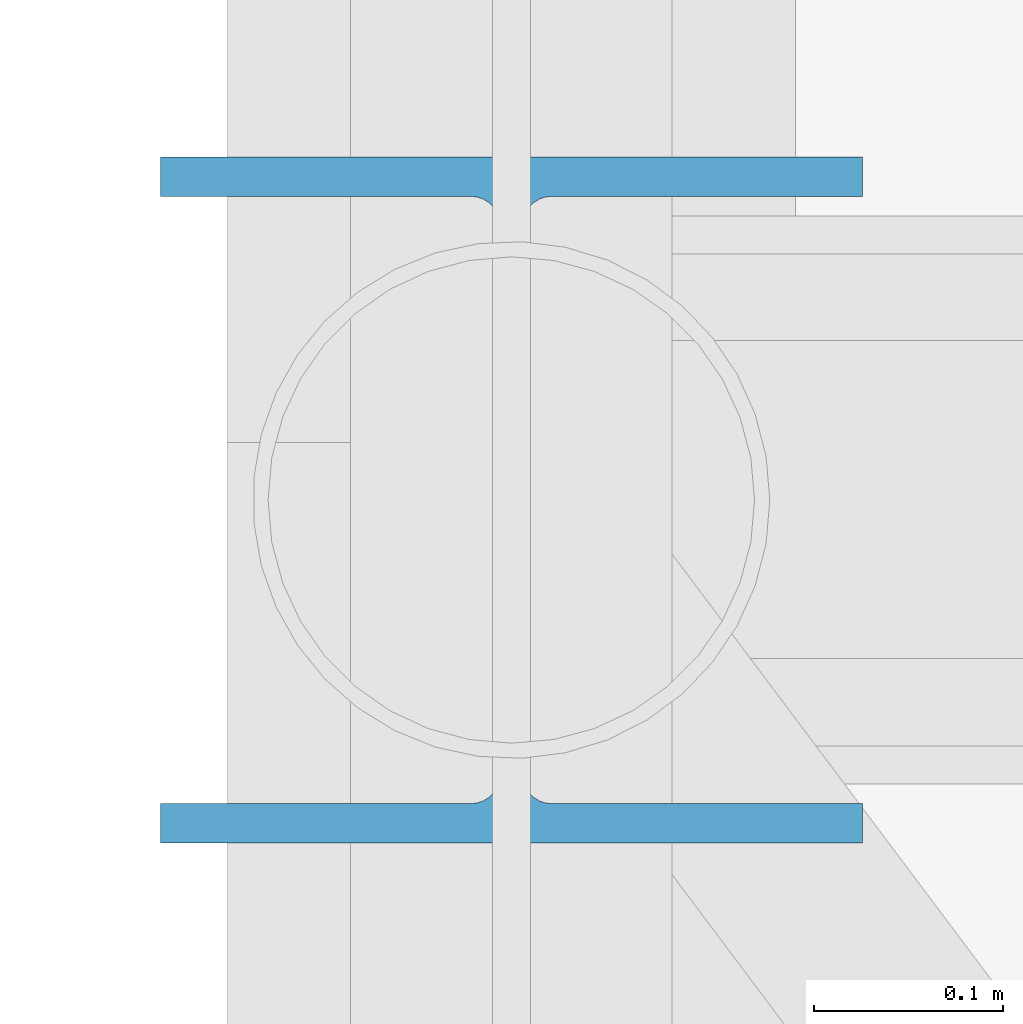
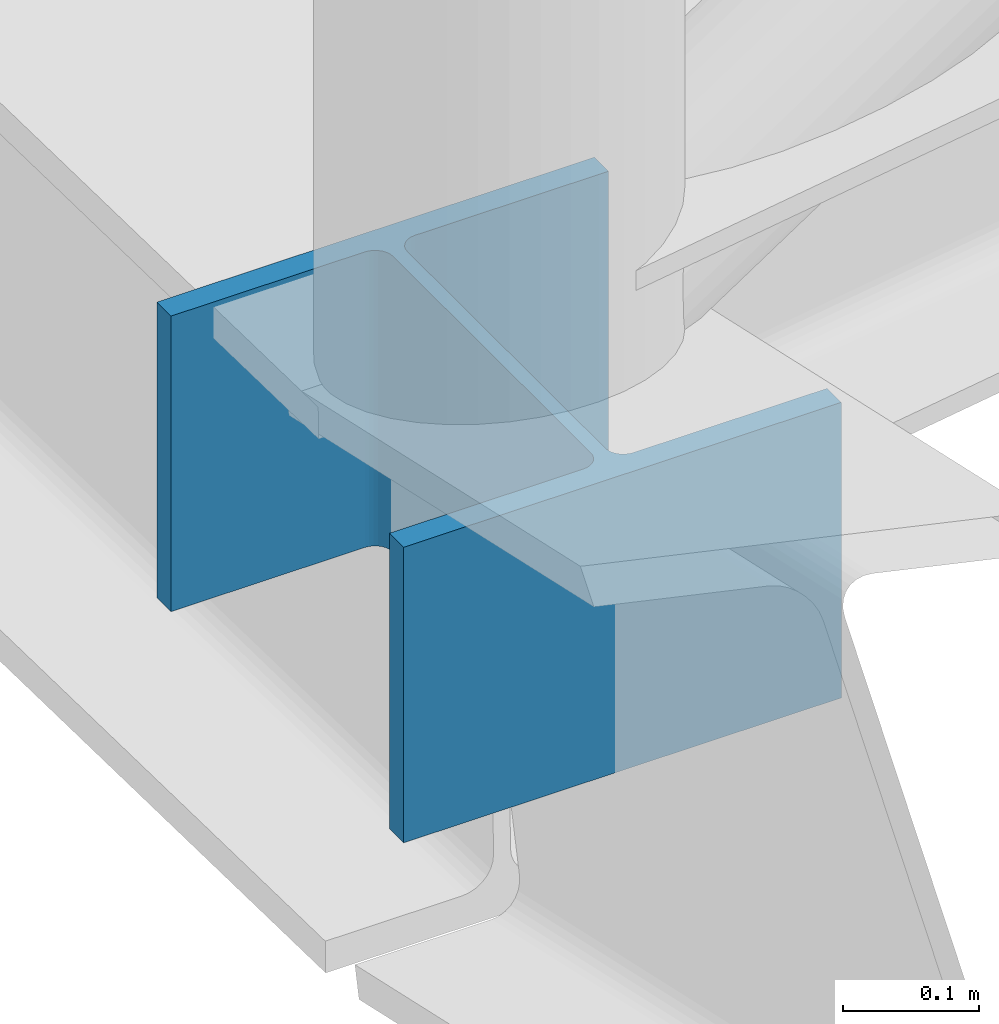
# One storey, part 13 of 262: 1 column.
"""IFC4 building model written with IfcOpenShell, lengths in metres."""

from ifc_helpers import new_model, si_unit, derived_unit, direction, frame, origin, origin_2d, place, context, subcontext, project, spatial, i_section, extrude, material, material_profile, profile_set, type_object, element, save


model = new_model("IFC4")

# Units and contexts
model_context = context("Model", 3, precision=1e-05, world=origin(), true_north=direction((0.0, 1.0)))
body_context = subcontext(model_context, "Body", "Model", "MODEL_VIEW")
ifc_project = project(units=[si_unit("LENGTHUNIT", "METRE"), si_unit("AREAUNIT", "SQUARE_METRE"), si_unit("VOLUMEUNIT", "CUBIC_METRE"), si_unit("PLANEANGLEUNIT", "RADIAN"), si_unit("MASSUNIT", "GRAM", prefix="KILO"), derived_unit("THERMALTRANSMITTANCEUNIT", [(si_unit("POWERUNIT", "WATT"), 1), (si_unit("LENGTHUNIT", "METRE"), -2), (si_unit("THERMODYNAMICTEMPERATUREUNIT", "KELVIN"), -1)])], contexts=[model_context])

# Site, building, storey
site_placement = place(None, origin())
site = spatial("IfcSite", under=ifc_project, at=site_placement, CompositionType="ELEMENT")
building_placement = place(site_placement, origin())
building = spatial("IfcBuilding", under=site, at=building_placement, Name="Almenara Railside Exhibition Hall", CompositionType="ELEMENT")
storey_placement = place(building_placement, frame((0.0, 0.0, 21.699951171875)))
storey = spatial("IfcBuildingStorey", under=building, at=storey_placement, Name="RF", CompositionType="ELEMENT", Elevation=21.699951171875)

# Column
ifc_material = material(Name="Structural steel S355JR", Category="steel")
ifc_material_profile = material_profile(ifc_material, i_section(OverallWidth=0.37060546875, OverallDepth=0.362060546875, WebThickness=0.01220703125, FlangeThickness=0.020751953125, FilletRadius=0.01513671875, at=origin_2d()), Name="UC 356x368x153")
ifc_profile_set = profile_set([ifc_material_profile], Name="Structural steel S355JR")
column_type = type_object("IfcColumnType", Name="Steel Column UC 356x368x153 S355JR", PredefinedType="COLUMN", material=ifc_profile_set)
column_placement = place(storey_placement, frame((12.0, 72.0, -2.39990234375), z_axis=(0.0, 0.0, 1.0), x_axis=(1.0, 0.0, 0.0)))
element("IfcColumn", 1, at=column_placement, inside=storey, type_object=column_type, Name="V1 scroll portal column 3", PredefinedType="COLUMN", context=body_context, shape_type="SweptSolid", body=[
    extrude(i_section(OverallWidth=0.37060546875, OverallDepth=0.362060546875, WebThickness=0.01220703125, FlangeThickness=0.020751953125, FilletRadius=0.01513671875, at=origin_2d()), origin(), (0.0, 0.0, 1.0), 0.2646484375),
])

save(model, "model.ifc")
